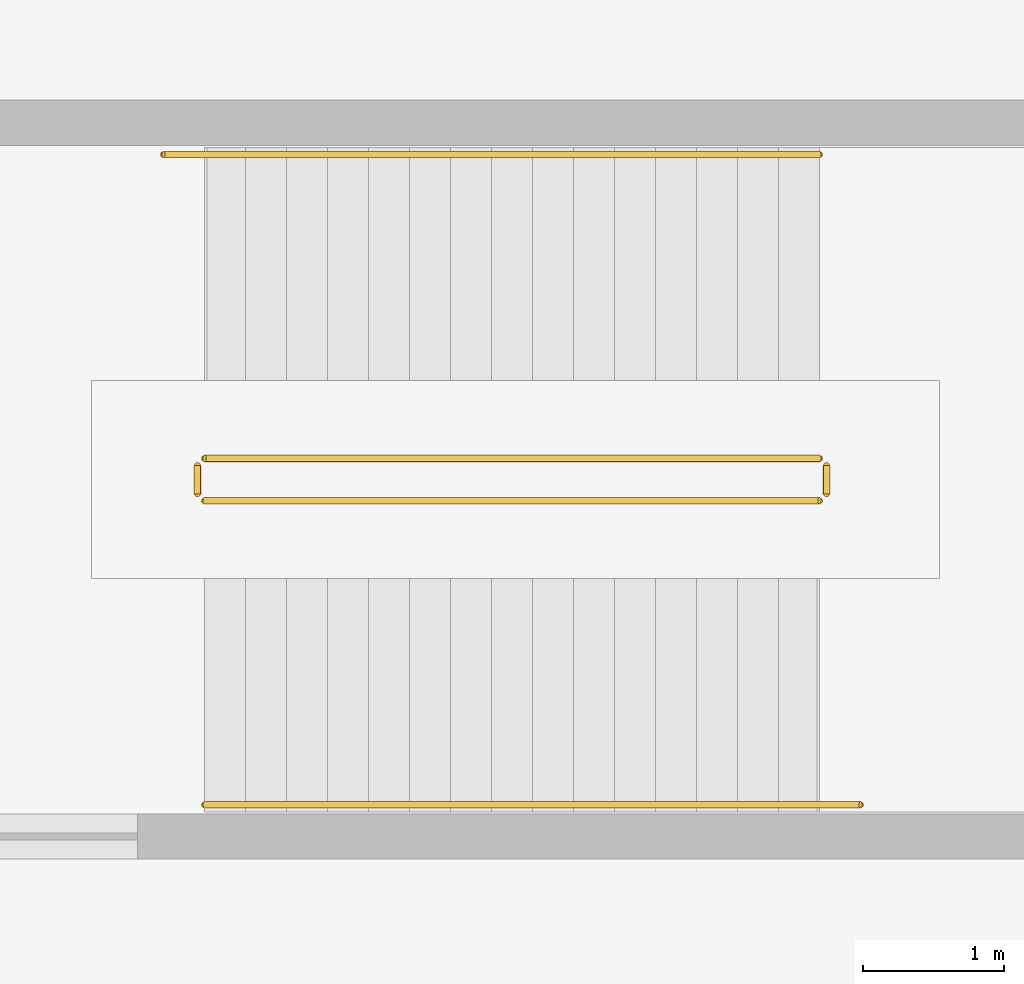
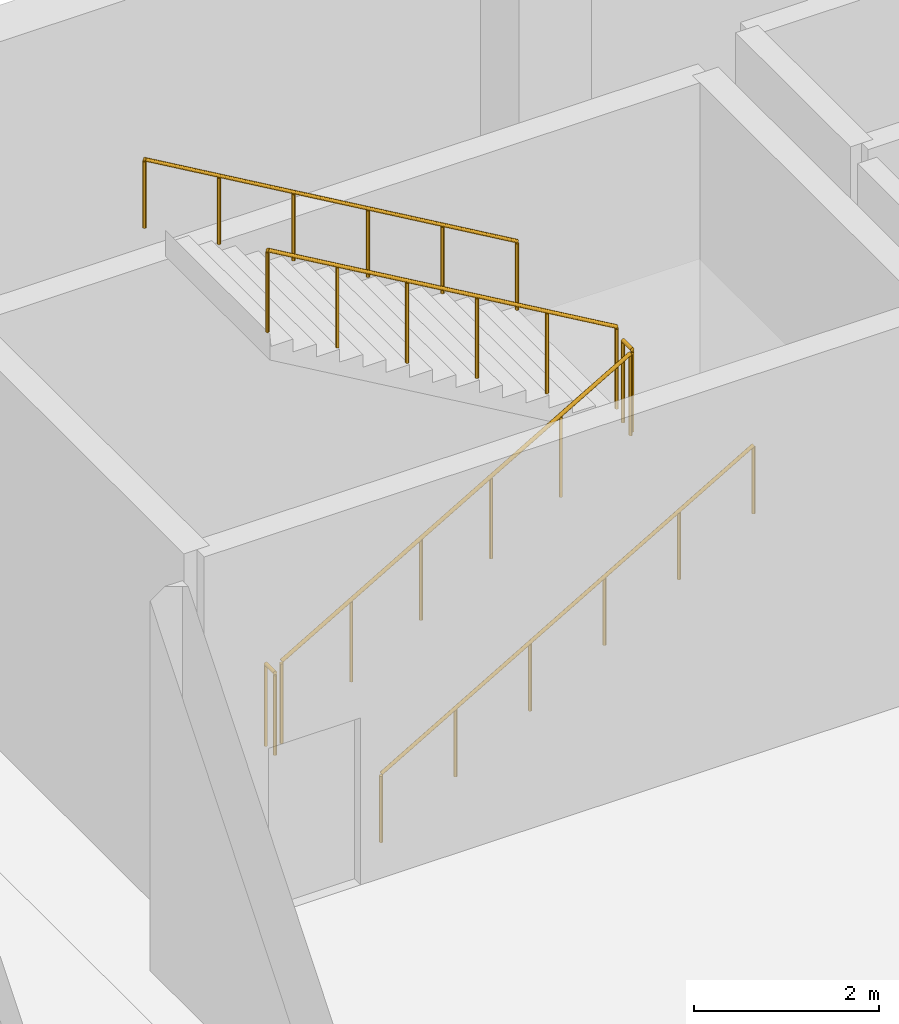
# One storey, part 57 of 60: 6 railings.
"""IFC4 building model written with IfcOpenShell, lengths in metres."""

from ifc_helpers import new_model, si_unit, direction, frame, origin, origin_2d, place, context, subcontext, project, spatial, circle, extrude, material, type_object, element, save


model = new_model("IFC4")

# Units and contexts
model_context = context("Model", 3, precision=1e-05, world=origin(), true_north=direction((0.0, 1.0)))
body_context = subcontext(model_context, "Body", "Model", "MODEL_VIEW")
ifc_project = project(units=[si_unit("LENGTHUNIT", "METRE"), si_unit("AREAUNIT", "SQUARE_METRE"), si_unit("VOLUMEUNIT", "CUBIC_METRE"), si_unit("PLANEANGLEUNIT", "RADIAN"), si_unit("MASSUNIT", "GRAM", prefix="KILO")], contexts=[model_context])

# Site, building, storey
site_placement = place(None, origin())
site = spatial("IfcSite", under=ifc_project, at=site_placement, CompositionType="ELEMENT")
building_placement = place(site_placement, origin())
building = spatial("IfcBuilding", under=site, at=building_placement, Name="Trimount Lyric Opera House", CompositionType="ELEMENT")
storey_placement = place(building_placement, frame((0.0, 0.0, -5.39990234375)))
storey = spatial("IfcBuildingStorey", under=building, at=storey_placement, Name="B1", CompositionType="ELEMENT", Elevation=-5.39990234375)

# Railings
ifc_material_1 = material(Name="Brushed Stainless Steel 316", Category="steel")
railing_type_1 = type_object("IfcRailingType", Name="RL-GRD110", PredefinedType="GUARDRAIL", material=ifc_material_1)
railing_1_placement = place(storey_placement, frame((67.050048828125, 110.60009765625, 0.168701171875)))
element("IfcRailing", 1, at=railing_1_placement, inside=storey, type_object=railing_type_1, Name="B1 ST-01 stair guard 1", PredefinedType="GUARDRAIL", context=body_context, shape_type="SweptSolid", body=[
    extrude(circle(Radius=0.02392578125, at=origin_2d()), frame((0.0, 0.0, 1.076171875), z_axis=(0.864311530196, 0.0, 0.502956835891), x_axis=(0.0, 1.0, 0.0)), (0.0, 0.0, 1.0), 5.03271484375),
    extrude(circle(Radius=0.02099609375, at=origin_2d()), origin(), (0.0, 0.0, 1.0), 1.052001953125),
    extrude(circle(Radius=0.02099609375, at=origin_2d()), frame((0.869873046875, 0.0, 0.50634765625)), (0.0, 0.0, 1.0), 1.052001953125),
    extrude(circle(Radius=0.02099609375, at=origin_2d()), frame((1.739990234375, 0.0, 1.012451171875)), (0.0, 0.0, 1.0), 1.052001953125),
    extrude(circle(Radius=0.02099609375, at=origin_2d()), frame((2.60986328125, 0.0, 1.518798828125)), (0.0, 0.0, 1.0), 1.052001953125),
    extrude(circle(Radius=0.02099609375, at=origin_2d()), frame((3.47998046875, 0.0, 2.02490234375)), (0.0, 0.0, 1.0), 1.052001953125),
    extrude(circle(Radius=0.02099609375, at=origin_2d()), frame((4.349853515625, 0.0, 2.53125)), (0.0, 0.0, 1.0), 1.052001953125),
])
railing_2_placement = place(storey_placement, frame((71.449951171875, 110.64990234375, 2.699951171875)))
element("IfcRailing", 2, at=railing_2_placement, inside=storey, type_object=railing_type_1, Name="B1 ST-01 stair guard 2", PredefinedType="GUARDRAIL", context=body_context, shape_type="SweptSolid", body=[
    extrude(circle(Radius=0.02392578125, at=origin_2d()), frame((0.0, 0.0, 1.076171875), z_axis=(0.0, 1.0, 0.0), x_axis=(-1.0, 0.0, 0.0)), (0.0, 0.0, 1.0), 0.2001953125),
    extrude(circle(Radius=0.02099609375, at=origin_2d()), origin(), (0.0, 0.0, 1.0), 1.052001953125),
    extrude(circle(Radius=0.02099609375, at=origin_2d()), frame((0.0, 0.2001953125, 0.0)), (0.0, 0.0, 1.0), 1.052001953125),
])
railing_3_placement = place(storey_placement, frame((71.39990234375, 110.89990234375, 2.86865234375)))
element("IfcRailing", 3, at=railing_3_placement, inside=storey, type_object=railing_type_1, Name="B1 ST-01 stair guard 3", PredefinedType="GUARDRAIL", context=body_context, shape_type="SweptSolid", body=[
    extrude(circle(Radius=0.02392578125, at=origin_2d()), frame((0.0, 0.0, 1.076171875), z_axis=(-0.864311530196, 0.0, 0.502956835891), x_axis=(0.0, -1.0, 0.0)), (0.0, 0.0, 1.0), 5.03271484375),
    extrude(circle(Radius=0.02099609375, at=origin_2d()), origin(), (0.0, 0.0, 1.0), 1.052001953125),
    extrude(circle(Radius=0.02099609375, at=origin_2d()), frame((-0.869873046875, 0.0, 0.50634765625)), (0.0, 0.0, 1.0), 1.052001953125),
    extrude(circle(Radius=0.02099609375, at=origin_2d()), frame((-1.739990234375, 0.0, 1.012451171875)), (0.0, 0.0, 1.0), 1.052001953125),
    extrude(circle(Radius=0.02099609375, at=origin_2d()), frame((-2.60986328125, 0.0, 1.518798828125)), (0.0, 0.0, 1.0), 1.052001953125),
    extrude(circle(Radius=0.02099609375, at=origin_2d()), frame((-3.47998046875, 0.0, 2.02490234375)), (0.0, 0.0, 1.0), 1.052001953125),
    extrude(circle(Radius=0.02099609375, at=origin_2d()), frame((-4.349853515625, 0.0, 2.53125)), (0.0, 0.0, 1.0), 1.052001953125),
])
railing_4_placement = place(storey_placement, frame((67.0, 110.64990234375, 0.0)))
element("IfcRailing", 4, at=railing_4_placement, inside=storey, type_object=railing_type_1, Name="B1 ST-01 stair guard 4", PredefinedType="GUARDRAIL", context=body_context, shape_type="SweptSolid", body=[
    extrude(circle(Radius=0.02392578125, at=origin_2d()), frame((0.0, 0.0, 1.076171875), z_axis=(0.0, 1.0, 0.0), x_axis=(-1.0, 0.0, 0.0)), (0.0, 0.0, 1.0), 0.2001953125),
    extrude(circle(Radius=0.02099609375, at=origin_2d()), origin(), (0.0, 0.0, 1.0), 1.052001953125),
    extrude(circle(Radius=0.02099609375, at=origin_2d()), frame((0.0, 0.2001953125, 0.0)), (0.0, 0.0, 1.0), 1.052001953125),
])
ifc_material_2 = material(Name="Brushed Stainless Steel 316", Category="steel")
railing_type_2 = type_object("IfcRailingType", Name="RL-HND092", PredefinedType="HANDRAIL", material=ifc_material_2)
railing_5_placement = place(storey_placement, frame((67.050048828125, 108.449951171875, 0.168701171875)))
element("IfcRailing", 5, at=railing_5_placement, inside=storey, type_object=railing_type_2, Name="B1 ST-01 stair handrail 1", PredefinedType="HANDRAIL", context=body_context, shape_type="SweptSolid", body=[
    extrude(circle(Radius=0.0224609375, at=origin_2d()), frame((0.0, 0.0, 0.8974609375), z_axis=(0.864060742353, 0.0, 0.503387557976), x_axis=(0.0, 1.0, 0.0)), (0.0, 0.0, 1.0), 5.369873046875),
    extrude(circle(Radius=0.02099609375, at=origin_2d()), origin(), (0.0, 0.0, 1.0), 0.875),
    extrude(circle(Radius=0.02099609375, at=origin_2d()), frame((0.927978515625, 0.0, 0.54052734375)), (0.0, 0.0, 1.0), 0.875),
    extrude(circle(Radius=0.02099609375, at=origin_2d()), frame((1.85595703125, 0.0, 1.081298828125)), (0.0, 0.0, 1.0), 0.875),
    extrude(circle(Radius=0.02099609375, at=origin_2d()), frame((2.783935546875, 0.0, 1.621826171875)), (0.0, 0.0, 1.0), 0.875),
    extrude(circle(Radius=0.02099609375, at=origin_2d()), frame((3.7119140625, 0.0, 2.16259765625)), (0.0, 0.0, 1.0), 0.875),
    extrude(circle(Radius=0.02099609375, at=origin_2d()), frame((4.639892578125, 0.0, 2.703125)), (0.0, 0.0, 1.0), 0.875),
])
railing_6_placement = place(storey_placement, frame((71.39990234375, 113.050048828125, 2.86865234375)))
element("IfcRailing", 6, at=railing_6_placement, inside=storey, type_object=railing_type_2, Name="B1 ST-01 stair handrail 2", PredefinedType="HANDRAIL", context=body_context, shape_type="SweptSolid", body=[
    extrude(circle(Radius=0.0224609375, at=origin_2d()), frame((0.0, 0.0, 0.8974609375), z_axis=(-0.864060742353, 0.0, 0.503387557976), x_axis=(0.0, -1.0, 0.0)), (0.0, 0.0, 1.0), 5.369873046875),
    extrude(circle(Radius=0.02099609375, at=origin_2d()), origin(), (0.0, 0.0, 1.0), 0.875),
    extrude(circle(Radius=0.02099609375, at=origin_2d()), frame((-0.927978515625, 0.0, 0.54052734375)), (0.0, 0.0, 1.0), 0.875),
    extrude(circle(Radius=0.02099609375, at=origin_2d()), frame((-1.85595703125, 0.0, 1.081298828125)), (0.0, 0.0, 1.0), 0.875),
    extrude(circle(Radius=0.02099609375, at=origin_2d()), frame((-2.783935546875, 0.0, 1.621826171875)), (0.0, 0.0, 1.0), 0.875),
    extrude(circle(Radius=0.02099609375, at=origin_2d()), frame((-3.7119140625, 0.0, 2.16259765625)), (0.0, 0.0, 1.0), 0.875),
    extrude(circle(Radius=0.02099609375, at=origin_2d()), frame((-4.639892578125, 0.0, 2.703125)), (0.0, 0.0, 1.0), 0.875),
])

save(model, "model.ifc")
